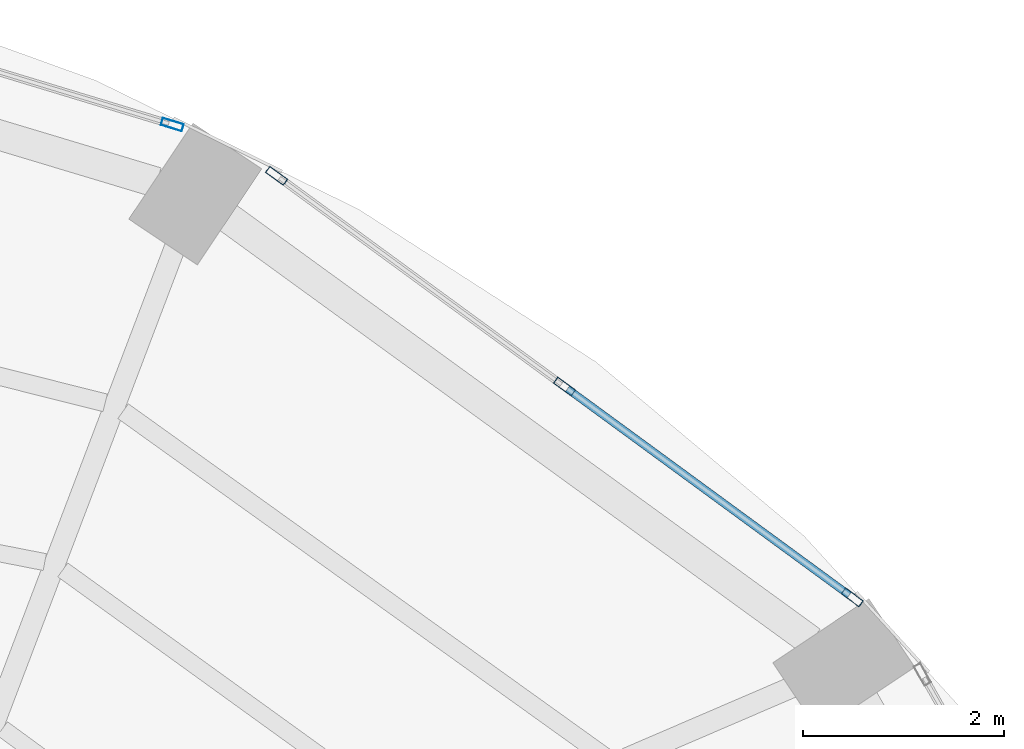
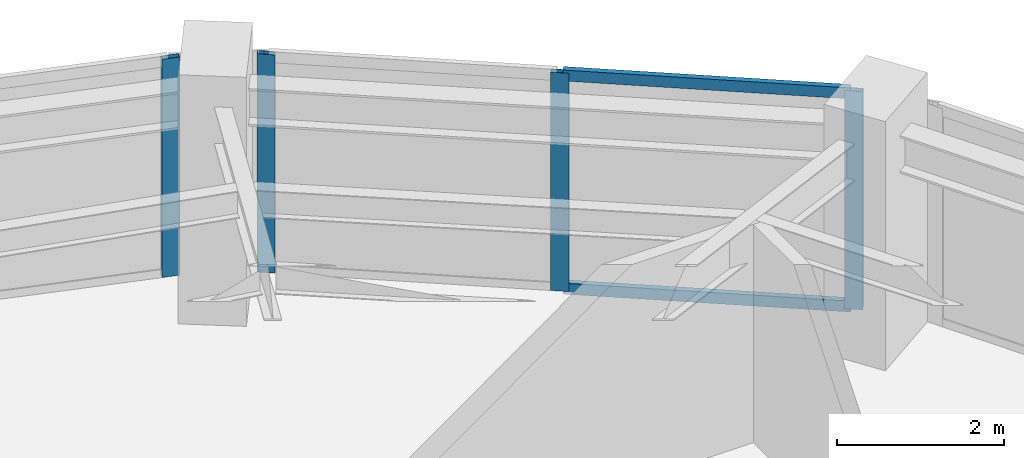
# One storey, part 14 of 20: 6 members, 2 elements without a shape of their own.
"""IFC4 building model written with IfcOpenShell, lengths in metres."""

from ifc_helpers import new_model, si_unit, direction, frame, origin, origin_2d, place, context, subcontext, project, spatial, hollow_rectangle, extrude, material, layer, layer_set, material_profile, profile_set, type_object, element, aggregate, save


model = new_model("IFC4")

# Units and contexts
model_context = context("Model", 3, precision=1e-05, world=origin(), true_north=direction((0.0, 1.0)))
body_context = subcontext(model_context, "Body", "Model", "MODEL_VIEW")
ifc_project = project(units=[si_unit("LENGTHUNIT", "METRE"), si_unit("AREAUNIT", "SQUARE_METRE"), si_unit("VOLUMEUNIT", "CUBIC_METRE"), si_unit("PLANEANGLEUNIT", "RADIAN"), si_unit("MASSUNIT", "GRAM", prefix="KILO")], contexts=[model_context])

# Site, building, storey
site_placement = place(None, origin())
site = spatial("IfcSite", under=ifc_project, at=site_placement, CompositionType="ELEMENT")
building_placement = place(site_placement, origin())
building = spatial("IfcBuilding", under=site, at=building_placement, Name="Lazwardi Medical Tower", CompositionType="ELEMENT")
storey_placement = place(building_placement, frame((0.0, 0.0, 185.7119140625)))
storey = spatial("IfcBuildingStorey", under=building, at=storey_placement, Name="L48", CompositionType="ELEMENT", Elevation=185.7119140625)

# Curtain wall, members
ifc_material_1 = material(Name="Anodised bronze aluminium and solar control glazing", Category="aluminium")
ifc_layer = layer(ifc_material_1, 0.195068359375)
ifc_layer_set = layer_set([ifc_layer], Name="Anodised bronze aluminium and solar control glazing")
curtain_wall_type = type_object("IfcCurtainWallType", Name="CW-SYS-03", PredefinedType="NOTDEFINED", material=ifc_layer_set)
curtain_wall_1_placement = place(storey_placement, origin())
curtain_wall_1 = element("IfcCurtainWall", 1, at=curtain_wall_1_placement, inside=storey, type_object=curtain_wall_type, Name="L48 Unitised bronze curtain wall CW-03", PredefinedType="NOTDEFINED")
ifc_material_2 = material(Name="Anodised bronze aluminium", Category="aluminium")
ifc_material_profile_1 = material_profile(ifc_material_2, hollow_rectangle(XDim=0.074951171875, YDim=0.219970703125, WallThickness=0.00390625, at=origin_2d()), Name="ALU-MULLION 220x75x4")
ifc_profile_set_1 = profile_set([ifc_material_profile_1], Name="Anodised bronze aluminium")
member_type_1 = type_object("IfcMemberType", Name="CW-MUL-01", PredefinedType="MULLION", material=ifc_profile_set_1)
member_1_placement = place(storey_placement, frame((55.519775390625, 40.5029296875, 0.0), z_axis=(0.0, 0.0, 1.0), x_axis=(-0.590833862635, -0.806793249082, 0.0)))
member_1 = element("IfcMember", 2, at=member_1_placement, type_object=member_type_1, Name="CW-03 mullion 1", PredefinedType="MULLION", context=body_context, shape_type="SweptSolid", body=[
    extrude(hollow_rectangle(XDim=0.074951171875, YDim=0.219970703125, WallThickness=0.00390625, at=origin_2d()), origin(), (0.0, 0.0, 1.0), 3.197998046875),
])
member_2_placement = place(storey_placement, frame((52.65771484375, 42.598876953125, 0.0), z_axis=(0.0, 0.0, 1.0), x_axis=(-0.590833862635, -0.806793249082, 0.0)))
member_2 = element("IfcMember", 3, at=member_2_placement, type_object=member_type_1, Name="CW-03 mullion 2", PredefinedType="MULLION", context=body_context, shape_type="SweptSolid", body=[
    extrude(hollow_rectangle(XDim=0.074951171875, YDim=0.219970703125, WallThickness=0.00390625, at=origin_2d()), origin(), (0.0, 0.0, 1.0), 3.197998046875),
])
member_3_placement = place(storey_placement, frame((49.795654296875, 44.69482421875, 0.0), z_axis=(0.0, 0.0, 1.0), x_axis=(-0.590833862635, -0.806793249082, 0.0)))
member_3 = element("IfcMember", 4, at=member_3_placement, type_object=member_type_1, Name="CW-03 mullion 3", PredefinedType="MULLION", context=body_context, shape_type="SweptSolid", body=[
    extrude(hollow_rectangle(XDim=0.074951171875, YDim=0.219970703125, WallThickness=0.00390625, at=origin_2d()), origin(), (0.0, 0.0, 1.0), 3.197998046875),
])

# Curtain wall, member
curtain_wall_2_placement = place(storey_placement, origin())
curtain_wall_2 = element("IfcCurtainWall", 5, at=curtain_wall_2_placement, inside=storey, type_object=curtain_wall_type, Name="L48 Unitised bronze curtain wall CW-03", PredefinedType="NOTDEFINED")
member_4_placement = place(storey_placement, frame((48.758056640625, 45.203369140625, 0.0), z_axis=(0.0, 0.0, 1.0), x_axis=(-0.290280785441, -0.956941516292, 0.0)))
member_4 = element("IfcMember", 6, at=member_4_placement, type_object=member_type_1, Name="CW-03 mullion 1", PredefinedType="MULLION", context=body_context, shape_type="SweptSolid", body=[
    extrude(hollow_rectangle(XDim=0.074951171875, YDim=0.219970703125, WallThickness=0.00390625, at=origin_2d()), origin(), (0.0, 0.0, 1.0), 3.197998046875),
])
aggregate(curtain_wall_2, [member_4])

# Member
ifc_material_profile_2 = material_profile(ifc_material_2, hollow_rectangle(XDim=0.074951171875, YDim=0.159912109375, WallThickness=0.00390625, at=origin_2d()), Name="ALU-TRANSOM 160x75x4")
ifc_profile_set_2 = profile_set([ifc_material_profile_2], Name="Anodised bronze aluminium")
member_type_2 = type_object("IfcMemberType", Name="CW-TRN-01", PredefinedType="USERDEFINED", material=ifc_profile_set_2)
member_5_placement = place(storey_placement, frame((55.489501953125, 40.525146484375, 0.03759765625), z_axis=(-0.806807161185, 0.590814864962, 0.0), x_axis=(-0.590814864962, -0.806807161185, 0.0)))
member_5 = element("IfcMember", 7, at=member_5_placement, type_object=member_type_2, Name="CW-03 transom 1.1", ObjectType="TRANSOM", PredefinedType="USERDEFINED", context=body_context, shape_type="SweptSolid", body=[
    extrude(hollow_rectangle(XDim=0.074951171875, YDim=0.159912109375, WallThickness=0.00390625, at=origin_2d()), origin(), (0.0, 0.0, 1.0), 3.472412109375),
])

member_6_placement = place(storey_placement, frame((55.489501953125, 40.525146484375, 3.16064453125), z_axis=(-0.806807161185, 0.590814864962, 0.0), x_axis=(-0.590814864962, -0.806807161185, 0.0)))
member_6 = element("IfcMember", 8, at=member_6_placement, type_object=member_type_2, Name="CW-03 transom 1.2", ObjectType="TRANSOM", PredefinedType="USERDEFINED", context=body_context, shape_type="SweptSolid", body=[
    extrude(hollow_rectangle(XDim=0.074951171875, YDim=0.159912109375, WallThickness=0.00390625, at=origin_2d()), origin(), (0.0, 0.0, 1.0), 3.472412109375),
])

aggregate(curtain_wall_1, [member_1, member_2, member_3, member_5, member_6])

save(model, "model.ifc")
